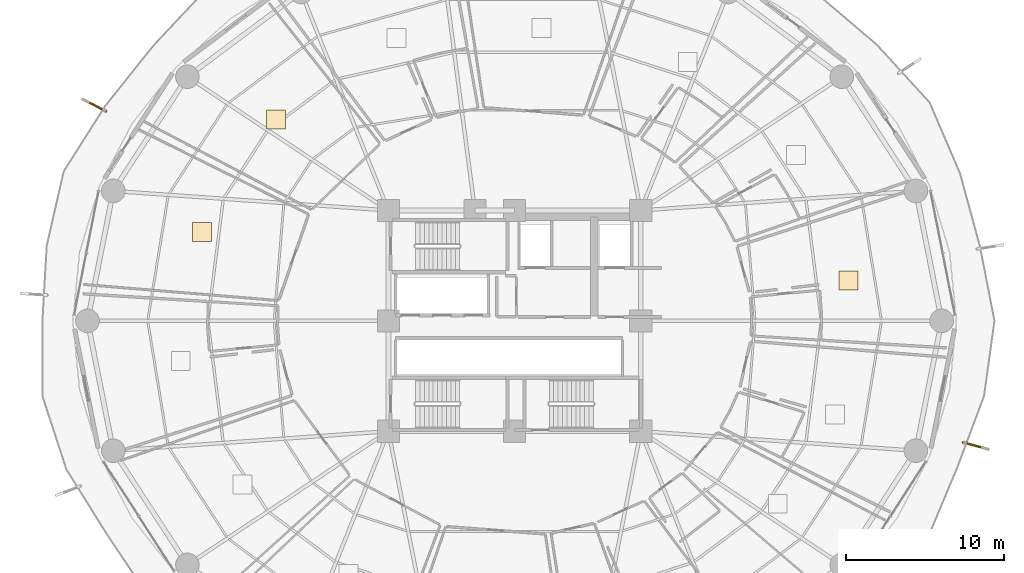
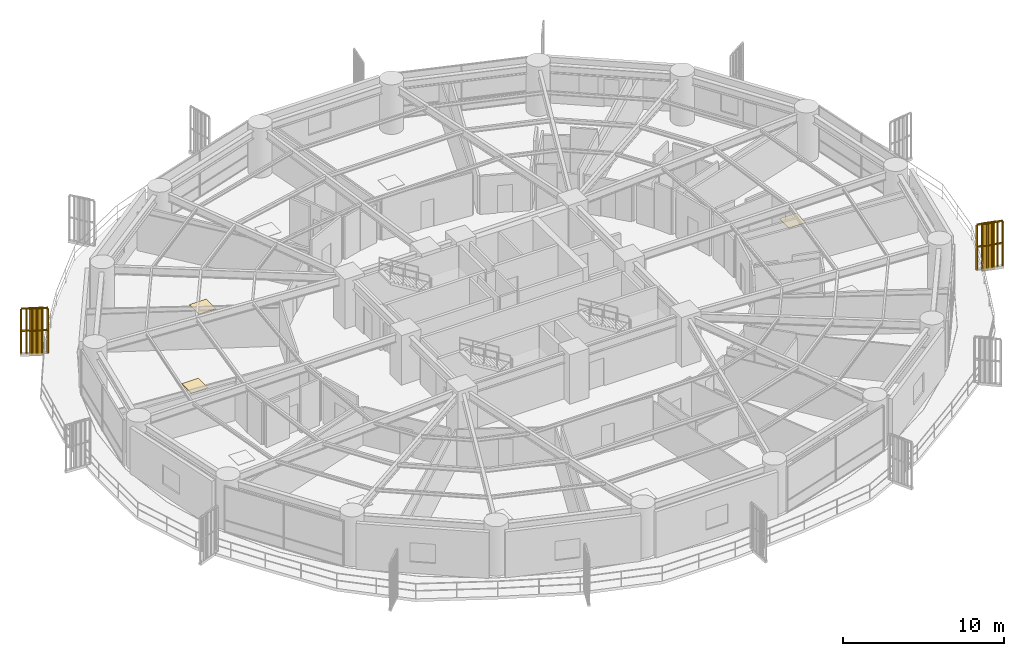
# One storey, part 30 of 32: 3 coverings, 2 railings, 2 shading devices.
"""IFC4 building model written with IfcOpenShell, lengths in metres."""

from ifc_helpers import new_model, si_unit, direction, frame, origin, origin_2d, place, context, subcontext, project, spatial, polyline, rectangle, outline, extrude, source, transform, mapped, material, layer, layer_set, type_object, element, save


model = new_model("IFC4")

# Units and contexts
model_context = context("Model", 3, precision=1e-05, world=origin(), true_north=direction((0.0, 1.0)))
body_context = subcontext(model_context, "Body", "Model", "MODEL_VIEW")
ifc_project = project(units=[si_unit("LENGTHUNIT", "METRE"), si_unit("AREAUNIT", "SQUARE_METRE"), si_unit("VOLUMEUNIT", "CUBIC_METRE"), si_unit("PLANEANGLEUNIT", "RADIAN"), si_unit("MASSUNIT", "GRAM", prefix="KILO")], contexts=[model_context])

# Site, building, storey
site_placement = place(None, origin())
site = spatial("IfcSite", under=ifc_project, at=site_placement, CompositionType="ELEMENT")
building_placement = place(site_placement, origin())
building = spatial("IfcBuilding", under=site, at=building_placement, Name="Kelanora Arch Commons", CompositionType="ELEMENT")
storey_placement = place(building_placement, frame((0.0, 0.0, 60.0)))
storey = spatial("IfcBuildingStorey", under=building, at=storey_placement, Name="L15", CompositionType="ELEMENT", Elevation=60.0)

# Railings
ifc_material_1 = material(Name="Anodised bronze vertical shading fin rib assembly")
railing_type = type_object("IfcRailingType", Name="RAIL-FIN-BRZ", PredefinedType="BALUSTRADE", material=ifc_material_1)
railing_1_placement = place(storey_placement, frame((48.092041015625, 71.293701171875, -0.02001953125)))
element("IfcRailing", 1, at=railing_1_placement, inside=storey, type_object=railing_type, Name="Sweeping Bronze Vertical Fin Blade L15-05", PredefinedType="BALUSTRADE", context=body_context, shape_type="SweptSolid", body=[
    extrude(outline(polyline([(0.06982421875, 0.0), (0.034912109375, 0.060546875), (-0.034912109375, 0.060546875), (-0.06982421875, 0.0), (-0.034912109375, -0.060546875), (0.034912109375, -0.060546875), (0.06982421875, 0.0)])), frame((0.0, 0.0, 3.419921875), z_axis=(-0.889686878641, 0.456571197048, 0.0), x_axis=(-0.456571197048, -0.889686878641, 0.0)), (0.0, 0.0, 1.0), 1.655029296875),
    extrude(outline(polyline([(0.06982421875, 0.0), (0.034912109375, 0.060546875), (-0.034912109375, 0.060546875), (-0.06982421875, 0.0), (-0.034912109375, -0.060546875), (0.034912109375, -0.060546875), (0.06982421875, 0.0)])), frame((0.0, 0.0, 1.7451171875), z_axis=(-0.889686878641, 0.456571197048, 0.0), x_axis=(-0.456571197048, -0.889686878641, 0.0)), (0.0, 0.0, 1.0), 1.655029296875),
    extrude(outline(polyline([(0.080078125, 0.0), (0.0400390625, 0.0693359375), (-0.0400390625, 0.0693359375), (-0.080078125, 0.0), (-0.0400390625, -0.0693359375), (0.0400390625, -0.0693359375), (0.080078125, 0.0)])), origin(), (0.0, 0.0, 1.0), 3.35009765625),
    extrude(outline(polyline([(0.080078125, 0.0), (0.0400390625, 0.0693359375), (-0.0400390625, 0.0693359375), (-0.080078125, 0.0), (-0.0400390625, -0.0693359375), (0.0400390625, -0.0693359375), (0.080078125, 0.0)])), frame((-0.29443359375, 0.151123046875, 0.0)), (0.0, 0.0, 1.0), 3.35009765625),
    extrude(outline(polyline([(0.080078125, 0.0), (0.0400390625, 0.0693359375), (-0.0400390625, 0.0693359375), (-0.080078125, 0.0), (-0.0400390625, -0.0693359375), (0.0400390625, -0.0693359375), (0.080078125, 0.0)])), frame((-0.5888671875, 0.30224609375, 0.0)), (0.0, 0.0, 1.0), 3.35009765625),
    extrude(outline(polyline([(0.080078125, 0.0), (0.0400390625, 0.0693359375), (-0.0400390625, 0.0693359375), (-0.080078125, 0.0), (-0.0400390625, -0.0693359375), (0.0400390625, -0.0693359375), (0.080078125, 0.0)])), frame((-0.883544921875, 0.453369140625, 0.0)), (0.0, 0.0, 1.0), 3.35009765625),
    extrude(outline(polyline([(0.080078125, 0.0), (0.0400390625, 0.0693359375), (-0.0400390625, 0.0693359375), (-0.080078125, 0.0), (-0.0400390625, -0.0693359375), (0.0400390625, -0.0693359375), (0.080078125, 0.0)])), frame((-1.177978515625, 0.6044921875, 0.0)), (0.0, 0.0, 1.0), 3.35009765625),
    extrude(outline(polyline([(0.080078125, 0.0), (0.0400390625, 0.0693359375), (-0.0400390625, 0.0693359375), (-0.080078125, 0.0), (-0.0400390625, -0.0693359375), (0.0400390625, -0.0693359375), (0.080078125, 0.0)])), frame((-1.472412109375, 0.755615234375, 0.0)), (0.0, 0.0, 1.0), 3.35009765625),
])
railing_2_placement = place(storey_placement, frame((102.4326171875, 50.294677734375, -0.02001953125)))
element("IfcRailing", 2, at=railing_2_placement, inside=storey, type_object=railing_type, Name="Sweeping Bronze Vertical Fin Blade L15-13", PredefinedType="BALUSTRADE", context=body_context, shape_type="SweptSolid", body=[
    extrude(outline(polyline([(0.06982421875, 0.0), (0.034912109375, 0.060546875), (-0.034912109375, 0.060546875), (-0.06982421875, 0.0), (-0.034912109375, -0.060546875), (0.034912109375, -0.060546875), (0.06982421875, 0.0)])), frame((0.0, 0.0, 3.419921875), z_axis=(0.965191467911, -0.26154431799, 0.0), x_axis=(0.26154431799, 0.965191467911, 0.0)), (0.0, 0.0, 1.0), 1.655029296875),
    extrude(outline(polyline([(0.06982421875, 0.0), (0.034912109375, 0.060546875), (-0.034912109375, 0.060546875), (-0.06982421875, 0.0), (-0.034912109375, -0.060546875), (0.034912109375, -0.060546875), (0.06982421875, 0.0)])), frame((0.0, 0.0, 1.7451171875), z_axis=(0.965191467911, -0.26154431799, 0.0), x_axis=(0.26154431799, 0.965191467911, 0.0)), (0.0, 0.0, 1.0), 1.655029296875),
    extrude(outline(polyline([(0.080078125, 0.0), (0.0400390625, 0.0693359375), (-0.0400390625, 0.0693359375), (-0.080078125, 0.0), (-0.0400390625, -0.0693359375), (0.0400390625, -0.0693359375), (0.080078125, 0.0)])), origin(), (0.0, 0.0, 1.0), 3.35009765625),
    extrude(outline(polyline([(0.080078125, 0.0), (0.0400390625, 0.0693359375), (-0.0400390625, 0.0693359375), (-0.080078125, 0.0), (-0.0400390625, -0.0693359375), (0.0400390625, -0.0693359375), (0.080078125, 0.0)])), frame((0.319580078125, -0.086669921875, 0.0)), (0.0, 0.0, 1.0), 3.35009765625),
    extrude(outline(polyline([(0.080078125, 0.0), (0.0400390625, 0.0693359375), (-0.0400390625, 0.0693359375), (-0.080078125, 0.0), (-0.0400390625, -0.0693359375), (0.0400390625, -0.0693359375), (0.080078125, 0.0)])), frame((0.638916015625, -0.173095703125, 0.0)), (0.0, 0.0, 1.0), 3.35009765625),
    extrude(outline(polyline([(0.080078125, 0.0), (0.0400390625, 0.0693359375), (-0.0400390625, 0.0693359375), (-0.080078125, 0.0), (-0.0400390625, -0.0693359375), (0.0400390625, -0.0693359375), (0.080078125, 0.0)])), frame((0.95849609375, -0.259765625, 0.0)), (0.0, 0.0, 1.0), 3.35009765625),
    extrude(outline(polyline([(0.080078125, 0.0), (0.0400390625, 0.0693359375), (-0.0400390625, 0.0693359375), (-0.080078125, 0.0), (-0.0400390625, -0.0693359375), (0.0400390625, -0.0693359375), (0.080078125, 0.0)])), frame((1.27783203125, -0.34619140625, 0.0)), (0.0, 0.0, 1.0), 3.35009765625),
    extrude(outline(polyline([(0.080078125, 0.0), (0.0400390625, 0.0693359375), (-0.0400390625, 0.0693359375), (-0.080078125, 0.0), (-0.0400390625, -0.0693359375), (0.0400390625, -0.0693359375), (0.080078125, 0.0)])), frame((1.597412109375, -0.432861328125, 0.0)), (0.0, 0.0, 1.0), 3.35009765625),
])

# Shading devices
ifc_material_2 = material(Name="Terracotta ceramic-clad extruded aluminium fin", Category="masonry")
shading_device_type = type_object("IfcShadingDeviceType", Name="SHD-FIN-FLARE", PredefinedType="USERDEFINED", material=ifc_material_2)
shared_shape_1 = source(origin(), body_context, "Body", "SweptSolid", [
    extrude(rectangle(XDim=0.8798828125, YDim=0.090087890625, at=origin_2d()), origin(), (0.0, 0.0, 1.0), 3.610107421875),
])
for number, where, z_axis, x_axis, name in (
    (3, (47.451416015625, 71.622314453125, -0.14013671875), (0.0, 0.0, 1.0), (-0.889735271073, 0.456476885952, 0.0), "Sweeping Terracotta Fin L15-05"),
    (4, (103.127685546875, 50.1064453125, -0.14013671875), (0.0, 0.0, 1.0), (0.965199301866, -0.261515406195, 0.0), "Sweeping Terracotta Fin L15-13"),
):
    element("IfcShadingDevice", number, at=place(storey_placement, frame(where, z_axis=z_axis, x_axis=x_axis)), inside=storey, type_object=shading_device_type, Name=name, ObjectType="FIN", PredefinedType="USERDEFINED", context=body_context, shape_type="MappedRepresentation", body=[
        mapped(shared_shape_1, transform((0.0, 0.0, 0.0), scale=1.0)),
    ])

# Coverings
ifc_material_3 = material(Name="Polished local granite terrazzo flooring", Category="masonry")
ifc_layer = layer(ifc_material_3, 0.030029296875)
ifc_layer_set = layer_set([ifc_layer], Name="Polished local granite terrazzo flooring")
covering_type = type_object("IfcCoveringType", Name="COV-FLR-TER", PredefinedType="FLOORING", material=ifc_layer_set)
shared_shape_2 = source(origin(), body_context, "Body", "SweptSolid", [
    extrude(rectangle(XDim=1.199951171875, YDim=1.199951171875, at=origin_2d()), origin(), (0.0, 0.0, 1.0), 0.030029296875),
])
for number, where, z_axis, x_axis, name in (
    (5, (58.874755859375, 70.771728515625, 0.0), (0.0, 0.0, 1.0), (1.0, 0.0, 0.0), "Quiet Seminar Study Room L15-05 Terrazzo Finish"),
    (6, (54.191162109375, 63.62353515625, 0.0), (0.0, 0.0, 1.0), (1.0, 0.0, 0.0), "Social Sky Lounge L15-06 Terrazzo Finish"),
    (7, (95.17041015625, 60.547607421875, 0.0), (0.0, 0.0, 1.0), (1.0, 0.0, 0.0), "Co-Living Studio L15-14 Terrazzo Finish"),
):
    element("IfcCovering", number, at=place(storey_placement, frame(where, z_axis=z_axis, x_axis=x_axis)), inside=storey, type_object=covering_type, Name=name, PredefinedType="FLOORING", context=body_context, shape_type="MappedRepresentation", body=[
        mapped(shared_shape_2, transform((0.0, 0.0, 0.0), scale=1.0)),
    ])

save(model, "model.ifc")
